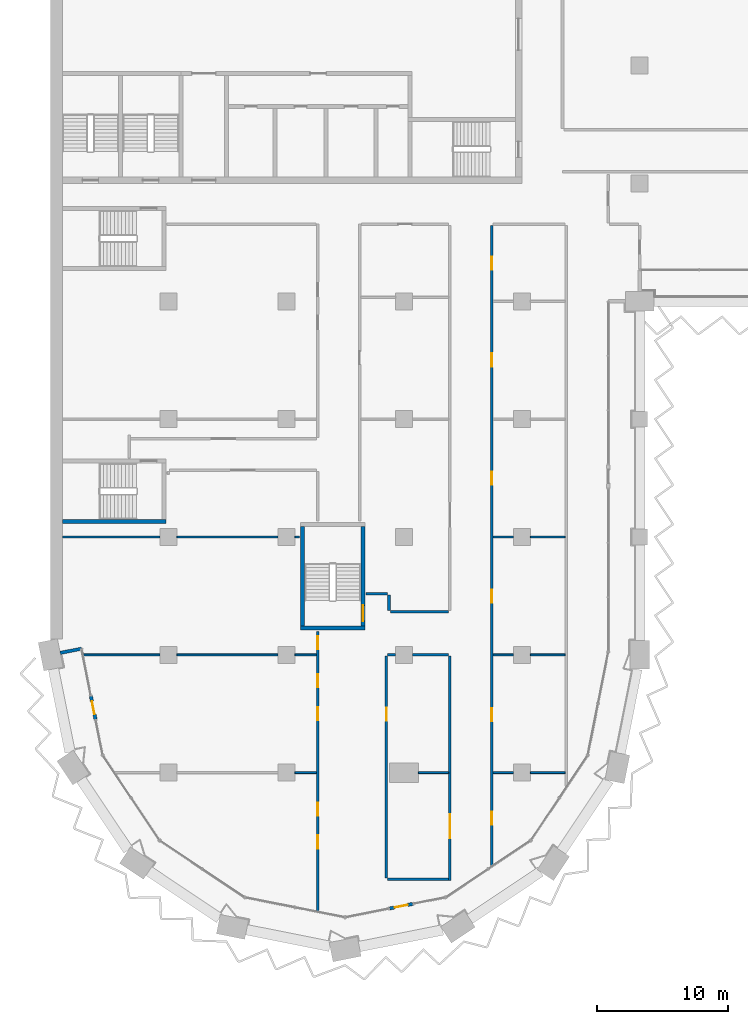
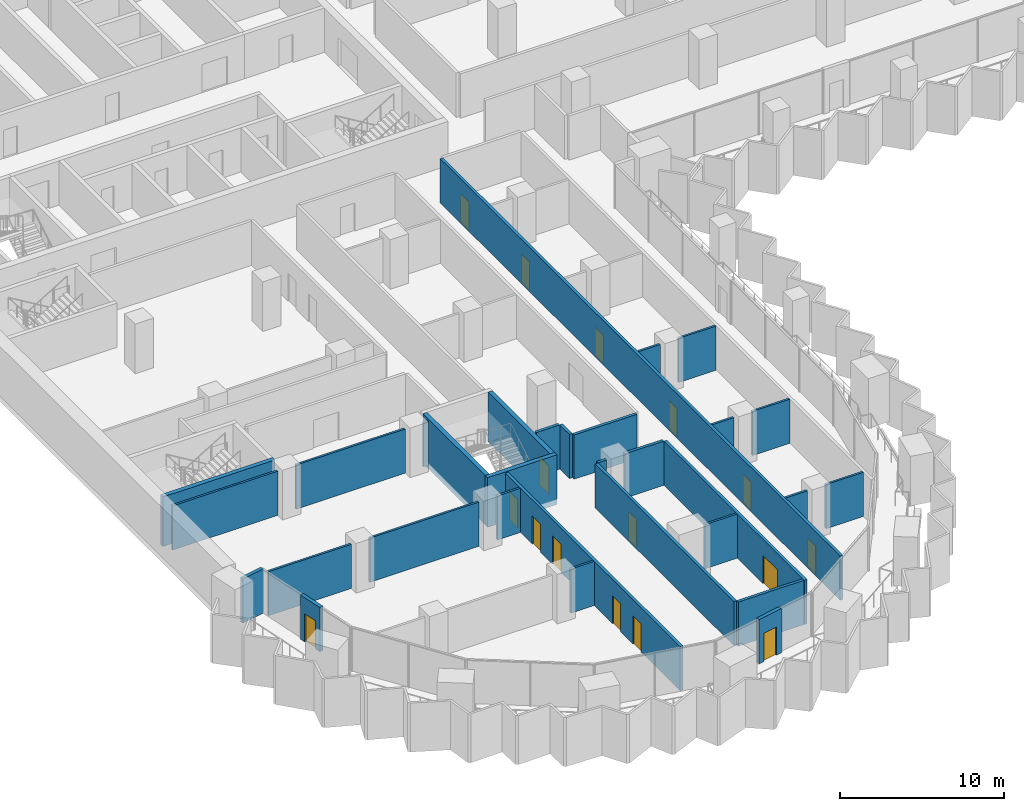
# One storey, part 9 of 23: 31 walls, 16 doors, 16 openings.
"""IFC4 building model written with IfcOpenShell, lengths in metres."""

from ifc_helpers import new_model, si_unit, direction, frame, frame_2d, origin, place, context, subcontext, project, spatial, rectangle, extrude, material, layer, layer_set, type_object, element, fill, save


model = new_model("IFC4")

# Units and contexts
model_context = context("Model", 3, precision=1e-05, world=origin(), true_north=direction((0.0, 1.0)))
body_context = subcontext(model_context, "Body", "Model", "MODEL_VIEW")
ifc_project = project(units=[si_unit("LENGTHUNIT", "METRE"), si_unit("AREAUNIT", "SQUARE_METRE"), si_unit("VOLUMEUNIT", "CUBIC_METRE"), si_unit("PLANEANGLEUNIT", "RADIAN"), si_unit("MASSUNIT", "GRAM", prefix="KILO")], contexts=[model_context])

# Site, building, storey
site_placement = place(None, origin())
site = spatial("IfcSite", under=ifc_project, at=site_placement, CompositionType="ELEMENT")
building_placement = place(site_placement, origin())
building = spatial("IfcBuilding", under=site, at=building_placement, Name="Hunhe Ridgeline Campus", CompositionType="ELEMENT")
storey_placement = place(building_placement, frame((0.0, 0.0, 121.800048828125)))
storey = spatial("IfcBuildingStorey", under=building, at=storey_placement, Name="L30", CompositionType="ELEMENT", Elevation=121.800048828125)

# Walls
ifc_material_1 = material(Name="Concrete C30", Category="concrete")
ifc_layer_1 = layer(ifc_material_1, 0.25)
ifc_layer_set_1 = layer_set([ifc_layer_1], Name="Corner return wall 250 Concrete C30")
wall_type_1 = type_object("IfcWallType", Name="Corner return wall 250 Concrete C30", PredefinedType="SOLIDWALL", material=ifc_layer_set_1)
wall_1_placement = place(storey_placement, frame((0.7353515625, 27.14697265625, 0.0), z_axis=(0.0, 0.0, 1.0), x_axis=(0.980824468215, 0.194893208067, 0.0)))
element("IfcWall", 1, at=wall_1_placement, inside=storey, type_object=wall_type_1, Name="Corner return wall 1", PredefinedType="SOLIDWALL", context=body_context, shape_type="SweptSolid", body=[
    extrude(rectangle(XDim=1.651123046875, YDim=0.25, at=frame_2d((0.82568359375, 0.0))), origin(), (0.0, 0.0, 1.0), 3.300048828125),
])
ifc_material_2 = material(Name="Gypsum board partition")
ifc_layer_2 = layer(ifc_material_2, 0.199951171875)
ifc_layer_set_2 = layer_set([ifc_layer_2], Name="Corridor partition 200 gypsum board on steel studs")
wall_type_2 = type_object("IfcWallType", Name="Corridor partition 200 gypsum board on steel studs", PredefinedType="PARTITIONING", material=ifc_layer_set_2)
wall_2_placement = place(storey_placement, frame((25.75, 9.860107421875, 0.0), z_axis=(0.0, 0.0, 1.0), x_axis=(1.0, 0.0, 0.0)))
element("IfcWall", 2, at=wall_2_placement, inside=storey, type_object=wall_type_2, Name="F-L30-wall-001", PredefinedType="PARTITIONING", context=body_context, shape_type="SweptSolid", body=[
    extrude(rectangle(XDim=4.64990234375, YDim=0.199951171875, at=frame_2d((2.324951171875, 0.0))), origin(), (0.0, 0.0, 1.0), 3.300048828125),
])
wall_3_placement = place(storey_placement, frame((26.35009765625, 27.0, 0.0), z_axis=(0.0, 0.0, 1.0), x_axis=(-1.0, 0.0, 0.0)))
element("IfcWall", 3, at=wall_3_placement, inside=storey, type_object=wall_type_2, Name="F-L30-wall-008", PredefinedType="PARTITIONING", context=body_context, shape_type="SweptSolid", body=[
    extrude(rectangle(XDim=0.60009765625, YDim=0.199951171875, at=frame_2d((0.300048828125, 0.0))), origin(), (0.0, 0.0, 1.0), 3.300048828125),
])
wall_4_placement = place(storey_placement, frame((30.39990234375, 27.0, 0.0), z_axis=(0.0, 0.0, 1.0), x_axis=(-1.0, 0.0, 0.0)))
element("IfcWall", 4, at=wall_4_placement, inside=storey, type_object=wall_type_2, Name="F-L30-wall-009", PredefinedType="PARTITIONING", context=body_context, shape_type="SweptSolid", body=[
    extrude(rectangle(XDim=2.75, YDim=0.199951171875, at=frame_2d((1.375, 0.0))), origin(), (0.0, 0.0, 1.0), 3.300048828125),
])
wall_5_placement = place(storey_placement, frame((25.949951171875, 30.299072265625, 0.0), z_axis=(0.0, 0.0, 1.0), x_axis=(1.0, 0.0, 0.0)))
element("IfcWall", 5, at=wall_5_placement, inside=storey, type_object=wall_type_2, Name="F-L30-wall-015", PredefinedType="PARTITIONING", context=body_context, shape_type="SweptSolid", body=[
    extrude(rectangle(XDim=4.449951171875, YDim=0.199951171875, at=frame_2d((2.22509765625, 0.0))), origin(), (0.0, 0.0, 1.0), 3.300048828125),
])
wall_6_placement = place(storey_placement, frame((24.10400390625, 31.675048828125, 0.0), z_axis=(0.0, 0.0, 1.0), x_axis=(1.0, 0.0, 0.0)))
element("IfcWall", 6, at=wall_6_placement, inside=storey, type_object=wall_type_2, Name="F-L30-wall-016", PredefinedType="PARTITIONING", context=body_context, shape_type="SweptSolid", body=[
    extrude(rectangle(XDim=1.64599609375, YDim=0.199951171875, at=frame_2d((0.822998046875, 0.0))), origin(), (0.0, 0.0, 1.0), 3.300048828125),
])

# Wall, openings, doors
wall_7_placement = place(storey_placement, frame((20.39990234375, 7.4208984375, 0.0), z_axis=(0.0, 0.0, 1.0), x_axis=(0.0, 1.0, 0.0)))
wall_7 = element("IfcWall", 7, at=wall_7_placement, inside=storey, type_object=wall_type_2, Name="F-L30-wall-055", PredefinedType="PARTITIONING", context=body_context, shape_type="SweptSolid", body=[
    extrude(rectangle(XDim=21.375, YDim=0.199951171875, at=frame_2d((10.6875, 0.0))), origin(), (0.0, 0.0, 1.0), 3.300048828125),
])
opening_1_placement = place(wall_7_placement, frame((4.781005859375, 0.0, 0.0)))
opening_1 = element("IfcOpeningElement", 8, at=opening_1_placement, cuts=wall_7, Name="Opening RD1-001", PredefinedType="OPENING", context=body_context, shape_type="SweptSolid", body=[
    extrude(rectangle(XDim=1.0, YDim=2.10009765625, at=frame_2d((0.5, 1.050048828125))), frame((0.0, 0.10009765625, 0.0), z_axis=(0.0, -1.0, 0.0), x_axis=(1.0, 0.0, 0.0)), (0.0, 0.0, 1.0), 0.199951171875),
])
opening_2_placement = place(wall_7_placement, frame((7.281005859375, 0.0, 0.0)))
opening_2 = element("IfcOpeningElement", 9, at=opening_2_placement, cuts=wall_7, Name="Opening RD1-004", PredefinedType="OPENING", context=body_context, shape_type="SweptSolid", body=[
    extrude(rectangle(XDim=1.0, YDim=2.10009765625, at=frame_2d((0.5, 1.050048828125))), frame((0.0, 0.10009765625, 0.0), z_axis=(0.0, -1.0, 0.0), x_axis=(1.0, 0.0, 0.0)), (0.0, 0.0, 1.0), 0.199951171875),
])
opening_3_placement = place(wall_7_placement, frame((14.58837890625, 0.0, 0.0)))
opening_3 = element("IfcOpeningElement", 10, at=opening_3_placement, cuts=wall_7, Name="Opening RD1-006", PredefinedType="OPENING", context=body_context, shape_type="SweptSolid", body=[
    extrude(rectangle(XDim=1.0, YDim=2.10009765625, at=frame_2d((0.5, 1.050048828125))), frame((0.0, 0.10009765625, 0.0), z_axis=(0.0, -1.0, 0.0), x_axis=(1.0, 0.0, 0.0)), (0.0, 0.0, 1.0), 0.199951171875),
])
opening_4_placement = place(wall_7_placement, frame((17.08837890625, 0.0, 0.0)))
opening_4 = element("IfcOpeningElement", 11, at=opening_4_placement, cuts=wall_7, Name="Opening RD1-008", PredefinedType="OPENING", context=body_context, shape_type="SweptSolid", body=[
    extrude(rectangle(XDim=1.0, YDim=2.10009765625, at=frame_2d((0.5, 1.050048828125))), frame((0.0, 0.10009765625, 0.0), z_axis=(0.0, -1.0, 0.0), x_axis=(1.0, 0.0, 0.0)), (0.0, 0.0, 1.0), 0.199951171875),
])
opening_5_placement = place(wall_7_placement, frame((19.9951171875, 0.0, 0.0)))
opening_5 = element("IfcOpeningElement", 12, at=opening_5_placement, cuts=wall_7, Name="Opening RD1-009", PredefinedType="OPENING", context=body_context, shape_type="SweptSolid", body=[
    extrude(rectangle(XDim=1.0, YDim=2.10009765625, at=frame_2d((0.5, 1.050048828125))), frame((0.0, 0.10009765625, 0.0), z_axis=(0.0, -1.0, 0.0), x_axis=(1.0, 0.0, 0.0)), (0.0, 0.0, 1.0), 0.199951171875),
])
ifc_material_3 = material(Name="Timber door leaf", Category="wood")
door_type_1 = type_object("IfcDoorType", Name="Single fire door 1000x2100 timber FD60", OperationType="NOTDEFINED", PredefinedType="DOOR", material=ifc_material_3)
door_1_placement = place(opening_1_placement, frame((1.0, 0.0, 0.0), z_axis=(0.0, 0.0, 1.0), x_axis=(-1.0, 0.0, 0.0)))
door_1 = element("IfcDoor", 13, at=door_1_placement, inside=storey, type_object=door_type_1, Name="F-L30-door-001", OperationType="SINGLE_SWING_LEFT", OverallHeight=2.10009765625, OverallWidth=1.0, PredefinedType="DOOR", context=body_context, shape_type="SweptSolid", body=[
    extrude(rectangle(XDim=1.0, YDim=2.10009765625, at=frame_2d((0.5, 1.050048828125))), frame((0.0, 0.02490234375, 0.0), z_axis=(0.0, -1.0, 0.0), x_axis=(1.0, 0.0, 0.0)), (0.0, 0.0, 1.0), 0.050048828125),
])
fill(opening_1, door_1)
door_2_placement = place(opening_2_placement, frame((1.0, 0.0, 0.0), z_axis=(0.0, 0.0, 1.0), x_axis=(-1.0, 0.0, 0.0)))
door_2 = element("IfcDoor", 14, at=door_2_placement, inside=storey, type_object=door_type_1, Name="F-L30-door-004", OperationType="SINGLE_SWING_LEFT", OverallHeight=2.10009765625, OverallWidth=1.0, PredefinedType="DOOR", context=body_context, shape_type="SweptSolid", body=[
    extrude(rectangle(XDim=1.0, YDim=2.10009765625, at=frame_2d((0.5, 1.050048828125))), frame((0.0, 0.02490234375, 0.0), z_axis=(0.0, -1.0, 0.0), x_axis=(1.0, 0.0, 0.0)), (0.0, 0.0, 1.0), 0.050048828125),
])
fill(opening_2, door_2)
door_3_placement = place(opening_3_placement, frame((1.0, 0.0, 0.0), z_axis=(0.0, 0.0, 1.0), x_axis=(-1.0, 0.0, 0.0)))
door_3 = element("IfcDoor", 15, at=door_3_placement, inside=storey, type_object=door_type_1, Name="F-L30-door-006", OperationType="SINGLE_SWING_RIGHT", OverallHeight=2.10009765625, OverallWidth=1.0, PredefinedType="DOOR", context=body_context, shape_type="SweptSolid", body=[
    extrude(rectangle(XDim=1.0, YDim=2.10009765625, at=frame_2d((0.5, 1.050048828125))), frame((0.0, 0.02490234375, 0.0), z_axis=(0.0, -1.0, 0.0), x_axis=(1.0, 0.0, 0.0)), (0.0, 0.0, 1.0), 0.050048828125),
])
fill(opening_3, door_3)
door_4_placement = place(opening_4_placement, frame((1.0, 0.0, 0.0), z_axis=(0.0, 0.0, 1.0), x_axis=(-1.0, 0.0, 0.0)))
door_4 = element("IfcDoor", 16, at=door_4_placement, inside=storey, type_object=door_type_1, Name="F-L30-door-008", OperationType="SINGLE_SWING_LEFT", OverallHeight=2.10009765625, OverallWidth=1.0, PredefinedType="DOOR", context=body_context, shape_type="SweptSolid", body=[
    extrude(rectangle(XDim=1.0, YDim=2.10009765625, at=frame_2d((0.5, 1.050048828125))), frame((0.0, 0.02490234375, 0.0), z_axis=(0.0, -1.0, 0.0), x_axis=(1.0, 0.0, 0.0)), (0.0, 0.0, 1.0), 0.050048828125),
])
fill(opening_4, door_4)
door_5_placement = place(opening_5_placement, frame((1.0, 0.0, 0.0), z_axis=(0.0, 0.0, 1.0), x_axis=(-1.0, 0.0, 0.0)))
door_5 = element("IfcDoor", 17, at=door_5_placement, inside=storey, type_object=door_type_1, Name="F-L30-door-009", OperationType="SINGLE_SWING_RIGHT", OverallHeight=2.10009765625, OverallWidth=1.0, PredefinedType="DOOR", context=body_context, shape_type="SweptSolid", body=[
    extrude(rectangle(XDim=1.0, YDim=2.10009765625, at=frame_2d((0.5, 1.050048828125))), frame((0.0, 0.02490234375, 0.0), z_axis=(0.0, -1.0, 0.0), x_axis=(1.0, 0.0, 0.0)), (0.0, 0.0, 1.0), 0.050048828125),
])
fill(opening_5, door_5)

# Wall, opening, door
wall_8_placement = place(storey_placement, frame((25.64990234375, 26.89990234375, 0.0), z_axis=(0.0, 0.0, 1.0), x_axis=(0.0, -1.0, 0.0)))
wall_8 = element("IfcWall", 18, at=wall_8_placement, inside=storey, type_object=wall_type_2, Name="F-L30-wall-059", PredefinedType="PARTITIONING", context=body_context, shape_type="SweptSolid", body=[
    extrude(rectangle(XDim=16.93994140625, YDim=0.199951171875, at=frame_2d((8.469970703125, 0.0))), origin(), (0.0, 0.0, 1.0), 3.300048828125),
])
opening_6_placement = place(wall_8_placement, frame((3.924560546875, 0.0, 0.0)))
opening_6 = element("IfcOpeningElement", 19, at=opening_6_placement, cuts=wall_8, Name="Opening RD1-007", PredefinedType="OPENING", context=body_context, shape_type="SweptSolid", body=[
    extrude(rectangle(XDim=1.0, YDim=2.10009765625, at=frame_2d((0.5, 1.050048828125))), frame((0.0, 0.10009765625, 0.0), z_axis=(0.0, -1.0, 0.0), x_axis=(1.0, 0.0, 0.0)), (0.0, 0.0, 1.0), 0.199951171875),
])
door_6_placement = place(opening_6_placement, origin())
door_6 = element("IfcDoor", 20, at=door_6_placement, inside=storey, type_object=door_type_1, Name="F-L30-door-007", OperationType="SINGLE_SWING_LEFT", OverallHeight=2.10009765625, OverallWidth=1.0, PredefinedType="DOOR", context=body_context, shape_type="SweptSolid", body=[
    extrude(rectangle(XDim=1.0, YDim=2.10009765625, at=frame_2d((0.5, 1.050048828125))), frame((0.0, 0.02490234375, 0.0), z_axis=(0.0, -1.0, 0.0), x_axis=(1.0, 0.0, 0.0)), (0.0, 0.0, 1.0), 0.050048828125),
])
fill(opening_6, door_6)

# Wall
wall_9_placement = place(storey_placement, frame((25.85009765625, 31.574951171875, 0.0), z_axis=(0.0, 0.0, 1.0), x_axis=(0.0, -1.0, 0.0)))
element("IfcWall", 21, at=wall_9_placement, inside=storey, type_object=wall_type_2, Name="F-L30-wall-060", PredefinedType="PARTITIONING", context=body_context, shape_type="SweptSolid", body=[
    extrude(rectangle(XDim=1.176025390625, YDim=0.199951171875, at=frame_2d((0.587890625, 0.0))), origin(), (0.0, 0.0, 1.0), 3.300048828125),
])

# Wall, opening, door
wall_10_placement = place(storey_placement, frame((30.5, 9.74365234375, 0.0), z_axis=(0.0, 0.0, 1.0), x_axis=(0.0, 1.0, 0.0)))
wall_10 = element("IfcWall", 22, at=wall_10_placement, inside=storey, type_object=wall_type_2, Name="F-L30-wall-061", PredefinedType="PARTITIONING", context=body_context, shape_type="SweptSolid", body=[
    extrude(rectangle(XDim=17.15625, YDim=0.199951171875, at=frame_2d((8.578125, 0.0))), origin(), (0.0, 0.0, 1.0), 3.300048828125),
])
opening_7_placement = place(wall_10_placement, frame((3.262939453125, 0.0, 0.0)))
opening_7 = element("IfcOpeningElement", 23, at=opening_7_placement, cuts=wall_10, Name="Opening RD2-002", PredefinedType="OPENING", context=body_context, shape_type="SweptSolid", body=[
    extrude(rectangle(XDim=1.800048828125, YDim=2.10009765625, at=frame_2d((0.89990234375, 1.050048828125))), frame((0.0, 0.10009765625, 0.0), z_axis=(0.0, -1.0, 0.0), x_axis=(1.0, 0.0, 0.0)), (0.0, 0.0, 1.0), 0.199951171875),
])
door_type_2 = type_object("IfcDoorType", Name="Double fire door 1800x2100 timber FD60", OperationType="DOUBLE_DOOR_SINGLE_SWING", PredefinedType="DOOR", material=ifc_material_3)
door_7_placement = place(opening_7_placement, origin())
door_7 = element("IfcDoor", 24, at=door_7_placement, inside=storey, type_object=door_type_2, Name="F-L30-door-002", OperationType="DOUBLE_DOOR_SINGLE_SWING", OverallHeight=2.10009765625, OverallWidth=1.800048828125, PredefinedType="DOOR", context=body_context, shape_type="SweptSolid", body=[
    extrude(rectangle(XDim=1.800048828125, YDim=2.10009765625, at=frame_2d((0.89990234375, 1.050048828125))), frame((0.0, 0.02490234375, 0.0), z_axis=(0.0, -1.0, 0.0), x_axis=(1.0, 0.0, 0.0)), (0.0, 0.0, 1.0), 0.050048828125),
])
fill(opening_7, door_7)

# Wall, openings, doors
wall_11_placement = place(storey_placement, frame((33.699951171875, 59.800048828125, 0.0), z_axis=(0.0, 0.0, 1.0), x_axis=(0.0, -1.0, 0.0)))
wall_11 = element("IfcWall", 25, at=wall_11_placement, inside=storey, type_object=wall_type_2, Name="F-L30-wall-063", PredefinedType="PARTITIONING", context=body_context, shape_type="SweptSolid", body=[
    extrude(rectangle(XDim=48.904296875, YDim=0.199951171875, at=frame_2d((24.4521484375, 0.0))), origin(), (0.0, 0.0, 1.0), 3.300048828125),
])
opening_8_placement = place(wall_11_placement, frame((44.767822265625, 0.0, 0.0)))
opening_8 = element("IfcOpeningElement", 26, at=opening_8_placement, cuts=wall_11, Name="Opening RD1-003", PredefinedType="OPENING", context=body_context, shape_type="SweptSolid", body=[
    extrude(rectangle(XDim=1.0, YDim=2.10009765625, at=frame_2d((0.5, 1.050048828125))), frame((0.0, 0.10009765625, 0.0), z_axis=(0.0, -1.0, 0.0), x_axis=(1.0, 0.0, 0.0)), (0.0, 0.0, 1.0), 0.199951171875),
])
opening_9_placement = place(wall_11_placement, frame((36.867919921875, 0.0, 0.0)))
opening_9 = element("IfcOpeningElement", 27, at=opening_9_placement, cuts=wall_11, Name="Opening RD1-005", PredefinedType="OPENING", context=body_context, shape_type="SweptSolid", body=[
    extrude(rectangle(XDim=1.0, YDim=2.10009765625, at=frame_2d((0.5, 1.050048828125))), frame((0.0, 0.10009765625, 0.0), z_axis=(0.0, -1.0, 0.0), x_axis=(1.0, 0.0, 0.0)), (0.0, 0.0, 1.0), 0.199951171875),
])
opening_10_placement = place(wall_11_placement, frame((27.83935546875, 0.0, 0.0)))
opening_10 = element("IfcOpeningElement", 28, at=opening_10_placement, cuts=wall_11, Name="Opening RD1-010", PredefinedType="OPENING", context=body_context, shape_type="SweptSolid", body=[
    extrude(rectangle(XDim=1.0, YDim=2.10009765625, at=frame_2d((0.5, 1.050048828125))), frame((0.0, 0.10009765625, 0.0), z_axis=(0.0, -1.0, 0.0), x_axis=(1.0, 0.0, 0.0)), (0.0, 0.0, 1.0), 0.199951171875),
])
opening_11_placement = place(wall_11_placement, frame((18.81103515625, 0.0, 0.0)))
opening_11 = element("IfcOpeningElement", 29, at=opening_11_placement, cuts=wall_11, Name="Opening RD1-012", PredefinedType="OPENING", context=body_context, shape_type="SweptSolid", body=[
    extrude(rectangle(XDim=1.0, YDim=2.10009765625, at=frame_2d((0.5, 1.050048828125))), frame((0.0, 0.10009765625, 0.0), z_axis=(0.0, -1.0, 0.0), x_axis=(1.0, 0.0, 0.0)), (0.0, 0.0, 1.0), 0.199951171875),
])
opening_12_placement = place(wall_11_placement, frame((9.782470703125, 0.0, 0.0)))
opening_12 = element("IfcOpeningElement", 30, at=opening_12_placement, cuts=wall_11, Name="Opening RD1-015", PredefinedType="OPENING", context=body_context, shape_type="SweptSolid", body=[
    extrude(rectangle(XDim=1.0, YDim=2.10009765625, at=frame_2d((0.5, 1.050048828125))), frame((0.0, 0.10009765625, 0.0), z_axis=(0.0, -1.0, 0.0), x_axis=(1.0, 0.0, 0.0)), (0.0, 0.0, 1.0), 0.199951171875),
])
opening_13_placement = place(wall_11_placement, frame((2.384033203125, 0.0, 0.0)))
opening_13 = element("IfcOpeningElement", 31, at=opening_13_placement, cuts=wall_11, Name="Opening RD1-019", PredefinedType="OPENING", context=body_context, shape_type="SweptSolid", body=[
    extrude(rectangle(XDim=1.0, YDim=2.10009765625, at=frame_2d((0.5, 1.050048828125))), frame((0.0, 0.10009765625, 0.0), z_axis=(0.0, -1.0, 0.0), x_axis=(1.0, 0.0, 0.0)), (0.0, 0.0, 1.0), 0.199951171875),
])
door_8_placement = place(opening_8_placement, origin())
door_8 = element("IfcDoor", 32, at=door_8_placement, inside=storey, type_object=door_type_1, Name="F-L30-door-003", OperationType="SINGLE_SWING_LEFT", OverallHeight=2.10009765625, OverallWidth=1.0, PredefinedType="DOOR", context=body_context, shape_type="SweptSolid", body=[
    extrude(rectangle(XDim=1.0, YDim=2.10009765625, at=frame_2d((0.5, 1.050048828125))), frame((0.0, 0.02490234375, 0.0), z_axis=(0.0, -1.0, 0.0), x_axis=(1.0, 0.0, 0.0)), (0.0, 0.0, 1.0), 0.050048828125),
])
fill(opening_8, door_8)
door_9_placement = place(opening_9_placement, origin())
door_9 = element("IfcDoor", 33, at=door_9_placement, inside=storey, type_object=door_type_1, Name="F-L30-door-005", OperationType="SINGLE_SWING_LEFT", OverallHeight=2.10009765625, OverallWidth=1.0, PredefinedType="DOOR", context=body_context, shape_type="SweptSolid", body=[
    extrude(rectangle(XDim=1.0, YDim=2.10009765625, at=frame_2d((0.5, 1.050048828125))), frame((0.0, 0.02490234375, 0.0), z_axis=(0.0, -1.0, 0.0), x_axis=(1.0, 0.0, 0.0)), (0.0, 0.0, 1.0), 0.050048828125),
])
fill(opening_9, door_9)
door_10_placement = place(opening_10_placement, origin())
door_10 = element("IfcDoor", 34, at=door_10_placement, inside=storey, type_object=door_type_1, Name="F-L30-door-010", OperationType="SINGLE_SWING_LEFT", OverallHeight=2.10009765625, OverallWidth=1.0, PredefinedType="DOOR", context=body_context, shape_type="SweptSolid", body=[
    extrude(rectangle(XDim=1.0, YDim=2.10009765625, at=frame_2d((0.5, 1.050048828125))), frame((0.0, 0.02490234375, 0.0), z_axis=(0.0, -1.0, 0.0), x_axis=(1.0, 0.0, 0.0)), (0.0, 0.0, 1.0), 0.050048828125),
])
fill(opening_10, door_10)
door_11_placement = place(opening_11_placement, origin())
door_11 = element("IfcDoor", 35, at=door_11_placement, inside=storey, type_object=door_type_1, Name="F-L30-door-012", OperationType="SINGLE_SWING_LEFT", OverallHeight=2.10009765625, OverallWidth=1.0, PredefinedType="DOOR", context=body_context, shape_type="SweptSolid", body=[
    extrude(rectangle(XDim=1.0, YDim=2.10009765625, at=frame_2d((0.5, 1.050048828125))), frame((0.0, 0.02490234375, 0.0), z_axis=(0.0, -1.0, 0.0), x_axis=(1.0, 0.0, 0.0)), (0.0, 0.0, 1.0), 0.050048828125),
])
fill(opening_11, door_11)
door_12_placement = place(opening_12_placement, origin())
door_12 = element("IfcDoor", 36, at=door_12_placement, inside=storey, type_object=door_type_1, Name="F-L30-door-015", OperationType="SINGLE_SWING_LEFT", OverallHeight=2.10009765625, OverallWidth=1.0, PredefinedType="DOOR", context=body_context, shape_type="SweptSolid", body=[
    extrude(rectangle(XDim=1.0, YDim=2.10009765625, at=frame_2d((0.5, 1.050048828125))), frame((0.0, 0.02490234375, 0.0), z_axis=(0.0, -1.0, 0.0), x_axis=(1.0, 0.0, 0.0)), (0.0, 0.0, 1.0), 0.050048828125),
])
fill(opening_12, door_12)
door_13_placement = place(opening_13_placement, origin())
door_13 = element("IfcDoor", 37, at=door_13_placement, inside=storey, type_object=door_type_1, Name="F-L30-door-019", OperationType="SINGLE_SWING_LEFT", OverallHeight=2.10009765625, OverallWidth=1.0, PredefinedType="DOOR", context=body_context, shape_type="SweptSolid", body=[
    extrude(rectangle(XDim=1.0, YDim=2.10009765625, at=frame_2d((0.5, 1.050048828125))), frame((0.0, 0.02490234375, 0.0), z_axis=(0.0, -1.0, 0.0), x_axis=(1.0, 0.0, 0.0)), (0.0, 0.0, 1.0), 0.050048828125),
])
fill(opening_13, door_13)

# Wall, opening, door
ifc_layer_3 = layer(ifc_material_1, 0.25)
ifc_layer_set_3 = layer_set([ifc_layer_3], Name="Loggia door pier wall 250 Concrete C30")
wall_type_3 = type_object("IfcWallType", Name="Loggia door pier wall 250 Concrete C30", PredefinedType="SOLIDWALL", material=ifc_layer_set_3)
wall_12_placement = place(storey_placement, frame((3.076904296875, 23.8388671875, 0.0), z_axis=(0.0, 0.0, 1.0), x_axis=(0.195046569833, -0.980793982239, 0.0)))
wall_12 = element("IfcWall", 38, at=wall_12_placement, inside=storey, type_object=wall_type_3, Name="Loggia door pier 1", PredefinedType="SOLIDWALL", context=body_context, shape_type="SweptSolid", body=[
    extrude(rectangle(XDim=1.800048828125, YDim=0.25, at=frame_2d((0.89990234375, 0.0))), origin(), (0.0, 0.0, 1.0), 3.300048828125),
])
opening_14_placement = place(wall_12_placement, frame((0.39990234375, 0.0, 0.0)))
opening_14 = element("IfcOpeningElement", 39, at=opening_14_placement, cuts=wall_12, Name="Opening BD201", PredefinedType="OPENING", context=body_context, shape_type="SweptSolid", body=[
    extrude(rectangle(XDim=1.0, YDim=2.10009765625, at=frame_2d((0.5, 1.050048828125))), frame((0.0, 0.125, 0.0), z_axis=(0.0, -1.0, 0.0), x_axis=(1.0, 0.0, 0.0)), (0.0, 0.0, 1.0), 0.25),
])
ifc_material_4 = material(Name="Aluminium 6063", Category="aluminium")
door_type_3 = type_object("IfcDoorType", Name="Loggia glazed door 1000x2100", OperationType="NOTDEFINED", PredefinedType="DOOR", material=ifc_material_4)
door_14_placement = place(opening_14_placement, frame((1.0, 0.0, 0.0), z_axis=(0.0, 0.0, 1.0), x_axis=(-1.0, 0.0, 0.0)))
door_14 = element("IfcDoor", 40, at=door_14_placement, inside=storey, type_object=door_type_3, Name="Loggia door BD201", OperationType="SINGLE_SWING_RIGHT", OverallHeight=2.10009765625, OverallWidth=1.0, PredefinedType="DOOR", context=body_context, shape_type="SweptSolid", body=[
    extrude(rectangle(XDim=1.0, YDim=2.10009765625, at=frame_2d((0.5, 1.050048828125))), frame((0.0, 0.02490234375, 0.0), z_axis=(0.0, -1.0, 0.0), x_axis=(1.0, 0.0, 0.0)), (0.0, 0.0, 1.0), 0.050048828125),
])
fill(opening_14, door_14)

wall_13_placement = place(storey_placement, frame((25.8955078125, 7.62353515625, 0.0), z_axis=(0.0, 0.0, 1.0), x_axis=(0.980793982239, 0.195046569833, 0.0)))
wall_13 = element("IfcWall", 41, at=wall_13_placement, inside=storey, type_object=wall_type_3, Name="Loggia door pier 2", PredefinedType="SOLIDWALL", context=body_context, shape_type="SweptSolid", body=[
    extrude(rectangle(XDim=1.800048828125, YDim=0.25, at=frame_2d((0.89990234375, 0.0))), origin(), (0.0, 0.0, 1.0), 3.300048828125),
])
opening_15_placement = place(wall_13_placement, frame((0.39990234375, 0.0, 0.0)))
opening_15 = element("IfcOpeningElement", 42, at=opening_15_placement, cuts=wall_13, Name="Opening BD203", PredefinedType="OPENING", context=body_context, shape_type="SweptSolid", body=[
    extrude(rectangle(XDim=1.0, YDim=2.10009765625, at=frame_2d((0.5, 1.050048828125))), frame((0.0, 0.125, 0.0), z_axis=(0.0, -1.0, 0.0), x_axis=(1.0, 0.0, 0.0)), (0.0, 0.0, 1.0), 0.25),
])
door_15_placement = place(opening_15_placement, frame((1.0, 0.0, 0.0), z_axis=(0.0, 0.0, 1.0), x_axis=(-1.0, 0.0, 0.0)))
door_15 = element("IfcDoor", 43, at=door_15_placement, inside=storey, type_object=door_type_3, Name="Loggia door BD203", OperationType="SINGLE_SWING_RIGHT", OverallHeight=2.10009765625, OverallWidth=1.0, PredefinedType="DOOR", context=body_context, shape_type="SweptSolid", body=[
    extrude(rectangle(XDim=1.0, YDim=2.10009765625, at=frame_2d((0.5, 1.050048828125))), frame((0.0, 0.02490234375, 0.0), z_axis=(0.0, -1.0, 0.0), x_axis=(1.0, 0.0, 0.0)), (0.0, 0.0, 1.0), 0.050048828125),
])
fill(opening_15, door_15)

# Walls
ifc_layer_4 = layer(ifc_material_2, 0.14990234375)
ifc_layer_set_4 = layer_set([ifc_layer_4], Name="Room partition 150 gypsum board on steel studs")
wall_type_4 = type_object("IfcWallType", Name="Room partition 150 gypsum board on steel studs", PredefinedType="PARTITIONING", material=ifc_layer_set_4)
wall_14_placement = place(storey_placement, frame((18.64990234375, 18.0, 0.0), z_axis=(0.0, 0.0, 1.0), x_axis=(1.0, 0.0, 0.0)))
element("IfcWall", 44, at=wall_14_placement, inside=storey, type_object=wall_type_4, Name="F-L30-wall-004", PredefinedType="PARTITIONING", context=body_context, shape_type="SweptSolid", body=[
    extrude(rectangle(XDim=1.650146484375, YDim=0.14990234375, at=frame_2d((0.8251953125, 0.0))), origin(), (0.0, 0.0, 1.0), 3.300048828125),
])
wall_15_placement = place(storey_placement, frame((28.10009765625, 18.0, 0.0), z_axis=(0.0, 0.0, 1.0), x_axis=(1.0, 0.0, 0.0)))
element("IfcWall", 45, at=wall_15_placement, inside=storey, type_object=wall_type_4, Name="F-L30-wall-005", PredefinedType="PARTITIONING", context=body_context, shape_type="SweptSolid", body=[
    extrude(rectangle(XDim=2.2998046875, YDim=0.14990234375, at=frame_2d((1.14990234375, 0.0))), origin(), (0.0, 0.0, 1.0), 3.300048828125),
])
wall_16_placement = place(storey_placement, frame((33.800048828125, 18.0, 0.0), z_axis=(0.0, 0.0, 1.0), x_axis=(1.0, 0.0, 0.0)))
element("IfcWall", 46, at=wall_16_placement, inside=storey, type_object=wall_type_4, Name="F-L30-wall-006", PredefinedType="PARTITIONING", context=body_context, shape_type="SweptSolid", body=[
    extrude(rectangle(XDim=1.550048828125, YDim=0.14990234375, at=frame_2d((0.77490234375, 0.0))), origin(), (0.0, 0.0, 1.0), 3.300048828125),
])
wall_17_placement = place(storey_placement, frame((36.64990234375, 18.0, 0.0), z_axis=(0.0, 0.0, 1.0), x_axis=(1.0, 0.0, 0.0)))
element("IfcWall", 47, at=wall_17_placement, inside=storey, type_object=wall_type_4, Name="F-L30-wall-007", PredefinedType="PARTITIONING", context=body_context, shape_type="SweptSolid", body=[
    extrude(rectangle(XDim=2.650146484375, YDim=0.14990234375, at=frame_2d((1.3251953125, 0.0))), origin(), (0.0, 0.0, 1.0), 3.300048828125),
])
wall_18_placement = place(storey_placement, frame((2.503173828125, 27.0, 0.0), z_axis=(0.0, 0.0, 1.0), x_axis=(1.0, 0.0, 0.0)))
element("IfcWall", 48, at=wall_18_placement, inside=storey, type_object=wall_type_4, Name="F-L30-wall-010", PredefinedType="PARTITIONING", context=body_context, shape_type="SweptSolid", body=[
    extrude(rectangle(XDim=5.846923828125, YDim=0.14990234375, at=frame_2d((2.92333984375, 0.0))), origin(), (0.0, 0.0, 1.0), 3.300048828125),
])
wall_19_placement = place(storey_placement, frame((9.64990234375, 27.0, 0.0), z_axis=(0.0, 0.0, 1.0), x_axis=(1.0, 0.0, 0.0)))
element("IfcWall", 49, at=wall_19_placement, inside=storey, type_object=wall_type_4, Name="F-L30-wall-011", PredefinedType="PARTITIONING", context=body_context, shape_type="SweptSolid", body=[
    extrude(rectangle(XDim=7.7001953125, YDim=0.14990234375, at=frame_2d((3.85009765625, 0.0))), origin(), (0.0, 0.0, 1.0), 3.300048828125),
])
wall_20_placement = place(storey_placement, frame((18.64990234375, 27.0, 0.0), z_axis=(0.0, 0.0, 1.0), x_axis=(1.0, 0.0, 0.0)))
element("IfcWall", 50, at=wall_20_placement, inside=storey, type_object=wall_type_4, Name="F-L30-wall-012", PredefinedType="PARTITIONING", context=body_context, shape_type="SweptSolid", body=[
    extrude(rectangle(XDim=1.650146484375, YDim=0.14990234375, at=frame_2d((0.8251953125, 0.0))), origin(), (0.0, 0.0, 1.0), 3.300048828125),
])
wall_21_placement = place(storey_placement, frame((33.800048828125, 27.0, 0.0), z_axis=(0.0, 0.0, 1.0), x_axis=(1.0, 0.0, 0.0)))
element("IfcWall", 51, at=wall_21_placement, inside=storey, type_object=wall_type_4, Name="F-L30-wall-013", PredefinedType="PARTITIONING", context=body_context, shape_type="SweptSolid", body=[
    extrude(rectangle(XDim=1.550048828125, YDim=0.14990234375, at=frame_2d((0.77490234375, 0.0))), origin(), (0.0, 0.0, 1.0), 3.300048828125),
])
wall_22_placement = place(storey_placement, frame((36.64990234375, 27.0, 0.0), z_axis=(0.0, 0.0, 1.0), x_axis=(1.0, 0.0, 0.0)))
element("IfcWall", 52, at=wall_22_placement, inside=storey, type_object=wall_type_4, Name="F-L30-wall-014", PredefinedType="PARTITIONING", context=body_context, shape_type="SweptSolid", body=[
    extrude(rectangle(XDim=2.650146484375, YDim=0.14990234375, at=frame_2d((1.3251953125, 0.0))), origin(), (0.0, 0.0, 1.0), 3.300048828125),
])
wall_23_placement = place(storey_placement, frame((0.919921875, 36.0, 0.0), z_axis=(0.0, 0.0, 1.0), x_axis=(1.0, 0.0, 0.0)))
element("IfcWall", 53, at=wall_23_placement, inside=storey, type_object=wall_type_4, Name="F-L30-wall-017", PredefinedType="PARTITIONING", context=body_context, shape_type="SweptSolid", body=[
    extrude(rectangle(XDim=7.43017578125, YDim=0.14990234375, at=frame_2d((3.715087890625, 0.0))), origin(), (0.0, 0.0, 1.0), 3.300048828125),
])
wall_24_placement = place(storey_placement, frame((9.64990234375, 36.0, 0.0), z_axis=(0.0, 0.0, 1.0), x_axis=(1.0, 0.0, 0.0)))
element("IfcWall", 54, at=wall_24_placement, inside=storey, type_object=wall_type_4, Name="F-L30-wall-018", PredefinedType="PARTITIONING", context=body_context, shape_type="SweptSolid", body=[
    extrude(rectangle(XDim=7.7001953125, YDim=0.14990234375, at=frame_2d((3.85009765625, 0.0))), origin(), (0.0, 0.0, 1.0), 3.300048828125),
])
wall_25_placement = place(storey_placement, frame((18.64990234375, 36.0, 0.0), z_axis=(0.0, 0.0, 1.0), x_axis=(1.0, 0.0, 0.0)))
element("IfcWall", 55, at=wall_25_placement, inside=storey, type_object=wall_type_4, Name="F-L30-wall-019", PredefinedType="PARTITIONING", context=body_context, shape_type="SweptSolid", body=[
    extrude(rectangle(XDim=0.34619140625, YDim=0.14990234375, at=frame_2d((0.173095703125, 0.0))), origin(), (0.0, 0.0, 1.0), 3.300048828125),
])
wall_26_placement = place(storey_placement, frame((33.800048828125, 36.0, 0.0), z_axis=(0.0, 0.0, 1.0), x_axis=(1.0, 0.0, 0.0)))
element("IfcWall", 56, at=wall_26_placement, inside=storey, type_object=wall_type_4, Name="F-L30-wall-020", PredefinedType="PARTITIONING", context=body_context, shape_type="SweptSolid", body=[
    extrude(rectangle(XDim=1.550048828125, YDim=0.14990234375, at=frame_2d((0.77490234375, 0.0))), origin(), (0.0, 0.0, 1.0), 3.300048828125),
])
wall_27_placement = place(storey_placement, frame((36.64990234375, 36.0, 0.0), z_axis=(0.0, 0.0, 1.0), x_axis=(1.0, 0.0, 0.0)))
element("IfcWall", 57, at=wall_27_placement, inside=storey, type_object=wall_type_4, Name="F-L30-wall-021", PredefinedType="PARTITIONING", context=body_context, shape_type="SweptSolid", body=[
    extrude(rectangle(XDim=2.650146484375, YDim=0.14990234375, at=frame_2d((1.3251953125, 0.0))), origin(), (0.0, 0.0, 1.0), 3.300048828125),
])
ifc_material_5 = material(Name="Concrete C80", Category="concrete")
ifc_layer_5 = layer(ifc_material_5, 0.300048828125)
ifc_layer_set_5 = layer_set([ifc_layer_5], Name="Stair wall 300 reinforced concrete C80")
wall_type_5 = type_object("IfcWallType", Name="Stair wall 300 reinforced concrete C80", PredefinedType="SOLIDWALL", material=ifc_layer_set_5)
wall_28_placement = place(storey_placement, frame((19.10009765625, 29.050048828125, -0.400146484375), z_axis=(0.0, 0.0, 1.0), x_axis=(1.0, 0.0, 0.0)))
element("IfcWall", 58, at=wall_28_placement, inside=storey, type_object=wall_type_5, Name="L30 core wall 1", PredefinedType="SOLIDWALL", context=body_context, shape_type="SweptSolid", body=[
    extrude(rectangle(XDim=4.89990234375, YDim=0.300048828125, at=frame_2d((2.449951171875, 0.0))), origin(), (0.0, 0.0, 1.0), 3.7001953125),
])
wall_29_placement = place(storey_placement, frame((0.89990234375, 37.199951171875, -0.400146484375), z_axis=(0.0, 0.0, 1.0), x_axis=(1.0, 0.0, 0.0)))
element("IfcWall", 59, at=wall_29_placement, inside=storey, type_object=wall_type_5, Name="L30 core wall 3", PredefinedType="SOLIDWALL", context=body_context, shape_type="SweptSolid", body=[
    extrude(rectangle(XDim=7.900146484375, YDim=0.300048828125, at=frame_2d((3.9501953125, 0.0))), origin(), (0.0, 0.0, 1.0), 3.7001953125),
])
wall_30_placement = place(storey_placement, frame((19.25, 29.199951171875, -0.400146484375), z_axis=(0.0, 0.0, 1.0), x_axis=(0.0, 1.0, 0.0)))
element("IfcWall", 60, at=wall_30_placement, inside=storey, type_object=wall_type_5, Name="L30 core wall 47", PredefinedType="SOLIDWALL", context=body_context, shape_type="SweptSolid", body=[
    extrude(rectangle(XDim=7.60009765625, YDim=0.300048828125, at=frame_2d((3.800048828125, 0.0))), origin(), (0.0, 0.0, 1.0), 3.7001953125),
])

# Wall, opening, door
wall_31_placement = place(storey_placement, frame((23.85009765625, 29.199951171875, -0.400146484375), z_axis=(0.0, 0.0, 1.0), x_axis=(0.0, 1.0, 0.0)))
wall_31 = element("IfcWall", 61, at=wall_31_placement, inside=storey, type_object=wall_type_5, Name="L30 core wall 52", PredefinedType="SOLIDWALL", context=body_context, shape_type="SweptSolid", body=[
    extrude(rectangle(XDim=7.60009765625, YDim=0.300048828125, at=frame_2d((3.800048828125, 0.0))), origin(), (0.0, 0.0, 1.0), 3.7001953125),
])
opening_16_placement = place(wall_31_placement, frame((0.375, 0.0, 0.39990234375)))
opening_16 = element("IfcOpeningElement", 62, at=opening_16_placement, cuts=wall_31, Name="Opening CD23", PredefinedType="OPENING", context=body_context, shape_type="SweptSolid", body=[
    extrude(rectangle(XDim=1.199951171875, YDim=2.10009765625, at=frame_2d((0.60009765625, 1.050048828125))), frame((0.0, 0.14990234375, 0.0), z_axis=(0.0, -1.0, 0.0), x_axis=(1.0, 0.0, 0.0)), (0.0, 0.0, 1.0), 0.300048828125),
])
ifc_material_6 = material(Name="Hollow metal fire door leaf")
door_type_4 = type_object("IfcDoorType", Name="Stair door 1200x2100 FD60", OperationType="SINGLE_SWING_LEFT", PredefinedType="DOOR", material=ifc_material_6)
door_16_placement = place(opening_16_placement, frame((1.199951171875, 0.0, 0.0), z_axis=(0.0, 0.0, 1.0), x_axis=(-1.0, 0.0, 0.0)))
door_16 = element("IfcDoor", 63, at=door_16_placement, inside=storey, type_object=door_type_4, Name="L30 door W3", OperationType="SINGLE_SWING_LEFT", OverallHeight=2.10009765625, OverallWidth=1.199951171875, PredefinedType="DOOR", context=body_context, shape_type="SweptSolid", body=[
    extrude(rectangle(XDim=1.199951171875, YDim=2.10009765625, at=frame_2d((0.60009765625, 1.050048828125))), frame((0.0, 0.02490234375, 0.0), z_axis=(0.0, -1.0, 0.0), x_axis=(1.0, 0.0, 0.0)), (0.0, 0.0, 1.0), 0.050048828125),
])
fill(opening_16, door_16)

save(model, "model.ifc")
